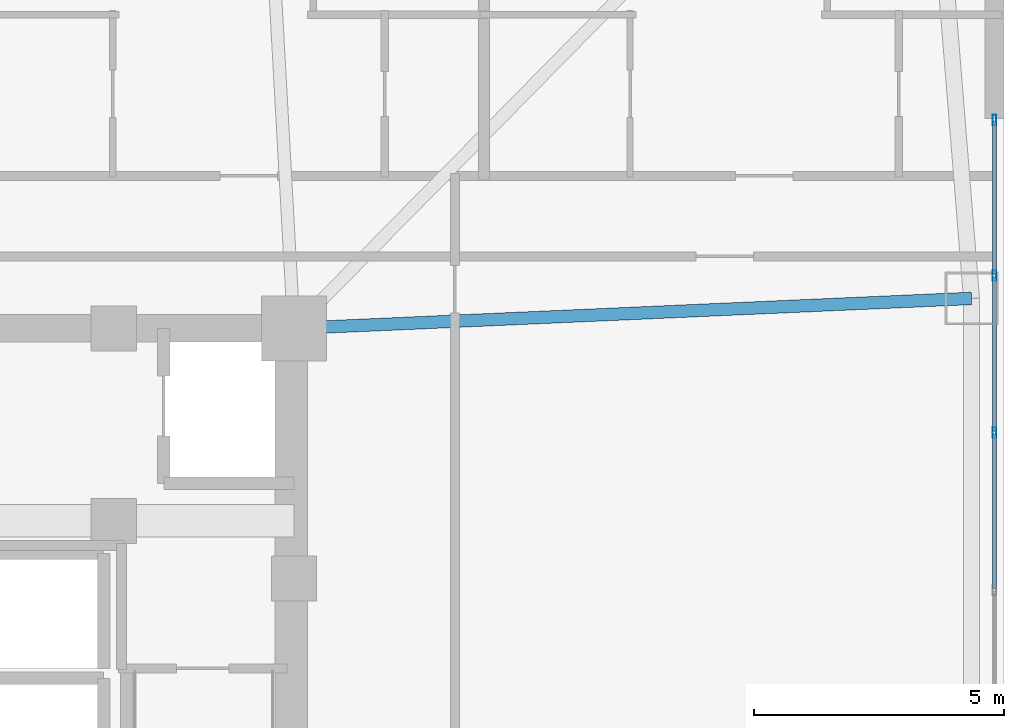
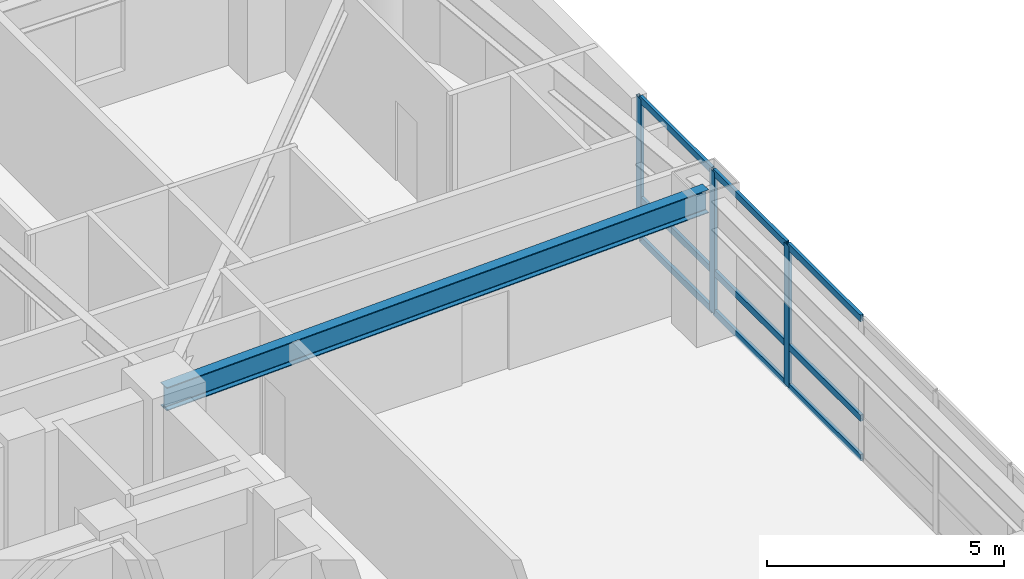
# One storey, part 5 of 16: 12 members, 1 beam, 1 element without a shape of its own.
"""IFC4 building model written with IfcOpenShell, lengths in metres."""

from ifc_helpers import new_model, si_unit, direction, frame, origin, origin_2d, place, context, subcontext, project, spatial, hollow_rectangle, i_section, extrude, material, layer, layer_set, material_profile, profile_set, type_object, element, aggregate, save


model = new_model("IFC4")

# Units and contexts
model_context = context("Model", 3, precision=1e-05, world=origin(), true_north=direction((0.0, 1.0)))
body_context = subcontext(model_context, "Body", "Model", "MODEL_VIEW")
ifc_project = project(units=[si_unit("LENGTHUNIT", "METRE"), si_unit("AREAUNIT", "SQUARE_METRE"), si_unit("VOLUMEUNIT", "CUBIC_METRE"), si_unit("PLANEANGLEUNIT", "RADIAN"), si_unit("MASSUNIT", "GRAM", prefix="KILO")], contexts=[model_context])

# Site, building, storey
site_placement = place(None, origin())
site = spatial("IfcSite", under=ifc_project, at=site_placement, CompositionType="ELEMENT")
building_placement = place(site_placement, origin())
building = spatial("IfcBuilding", under=site, at=building_placement, Name="Voryun Gate Residences", CompositionType="ELEMENT")
storey_placement = place(building_placement, frame((0.0, 0.0, 93.60009765625)))
storey = spatial("IfcBuildingStorey", under=building, at=storey_placement, Name="L22", CompositionType="ELEMENT", Elevation=93.60009765625)

# Beam
ifc_material_1 = material(Name="Steel SM355", Category="steel")
ifc_material_profile_1 = material_profile(ifc_material_1, i_section(OverallWidth=0.25, OverallDepth=0.60009765625, WebThickness=0.011962890625, FlangeThickness=0.02197265625, FilletRadius=0.01806640625, at=origin_2d()), Name="H-600x250x12x22")
ifc_profile_set_1 = profile_set([ifc_material_profile_1], Name="Steel SM355")
beam_type = type_object("IfcBeamType", Name="BM_GIRD_600", PredefinedType="USERDEFINED", material=ifc_profile_set_1)
beam_placement = place(storey_placement, frame((19.199951171875, 7.39990234375, 3.349853515625), z_axis=(0.999027104014, 0.044100401882, 0.0), x_axis=(-0.044100401882, 0.999027104014, 0.0)))
element("IfcBeam", 1, at=beam_placement, inside=storey, type_object=beam_type, Name="BM-L22-RAD-E2", ObjectType="GIRDER", PredefinedType="USERDEFINED", context=body_context, shape_type="SweptSolid", body=[
    extrude(i_section(OverallWidth=0.25, OverallDepth=0.60009765625, WebThickness=0.011962890625, FlangeThickness=0.02197265625, FilletRadius=0.01806640625, at=origin_2d()), origin(), (0.0, 0.0, 1.0), 13.563232421875),
])

# Curtain wall, members
ifc_material_2 = material(Name="Anodised aluminium", Category="aluminium")
ifc_layer = layer(ifc_material_2, 0.2099609375, Name="CW_SYS_SKYGARDEN_DARK_GLASS")
ifc_layer_set = layer_set([ifc_layer], Name="Anodised aluminium")
curtain_wall_type = type_object("IfcCurtainWallType", Name="CW_SYS_SKYGARDEN_DARK_GLASS", PredefinedType="NOTDEFINED", material=ifc_layer_set)
curtain_wall_placement = place(storey_placement, origin())
curtain_wall = element("IfcCurtainWall", 2, at=curtain_wall_placement, inside=storey, type_object=curtain_wall_type, Name="Curtain wall CW5-L22-SG-16", PredefinedType="NOTDEFINED")
ifc_material_3 = material(Name="Anodised aluminium", Category="aluminium")
ifc_material_profile_2 = material_profile(ifc_material_3, hollow_rectangle(XDim=0.074951171875, YDim=0.2099609375, WallThickness=0.0048828125, at=origin_2d()), Name="ALU-MULL-210x75x5")
ifc_profile_set_2 = profile_set([ifc_material_profile_2], Name="Anodised aluminium")
member_type_1 = type_object("IfcMemberType", Name="CW_MULL_SKY", PredefinedType="MULLION", material=ifc_profile_set_2)
member_1_placement = place(storey_placement, frame((33.2099609375, 11.56591796875, 0.0), z_axis=(0.0, 0.0, 1.0), x_axis=(1.0, 0.0, 0.0)))
member_1 = element("IfcMember", 3, at=member_1_placement, type_object=member_type_1, Name="CW5 mullion 1", PredefinedType="MULLION", context=body_context, shape_type="SweptSolid", body=[
    extrude(hollow_rectangle(XDim=0.074951171875, YDim=0.2099609375, WallThickness=0.0048828125, at=origin_2d()), origin(), (0.0, 0.0, 1.0), 3.64990234375),
])
member_2_placement = place(storey_placement, frame((33.2099609375, 8.454345703125, 0.0), z_axis=(0.0, 0.0, 1.0), x_axis=(1.0, 0.0, 0.0)))
member_2 = element("IfcMember", 4, at=member_2_placement, type_object=member_type_1, Name="CW5 mullion 2", PredefinedType="MULLION", context=body_context, shape_type="SweptSolid", body=[
    extrude(hollow_rectangle(XDim=0.074951171875, YDim=0.2099609375, WallThickness=0.0048828125, at=origin_2d()), origin(), (0.0, 0.0, 1.0), 3.64990234375),
])
member_3_placement = place(storey_placement, frame((33.2099609375, 5.3125, 0.0), z_axis=(0.0, 0.0, 1.0), x_axis=(1.0, 0.0, 0.0)))
member_3 = element("IfcMember", 5, at=member_3_placement, type_object=member_type_1, Name="CW5 mullion 3", PredefinedType="MULLION", context=body_context, shape_type="SweptSolid", body=[
    extrude(hollow_rectangle(XDim=0.074951171875, YDim=0.2099609375, WallThickness=0.0048828125, at=origin_2d()), origin(), (0.0, 0.0, 1.0), 3.64990234375),
])
ifc_material_4 = material(Name="Anodised aluminium", Category="aluminium")
ifc_material_profile_3 = material_profile(ifc_material_4, hollow_rectangle(XDim=0.074951171875, YDim=0.169921875, WallThickness=0.0048828125, at=origin_2d()), Name="ALU-TRAN-170x75x5")
ifc_profile_set_3 = profile_set([ifc_material_profile_3], Name="Anodised aluminium")
member_type_2 = type_object("IfcMemberType", Name="CW_TRAN_SKY", PredefinedType="USERDEFINED", material=ifc_profile_set_3)
member_4_placement = place(storey_placement, frame((33.2099609375, 11.535888671875, 0.02978515625), z_axis=(0.0, -1.0, 0.0), x_axis=(1.0, 0.0, 0.0)))
member_4 = element("IfcMember", 6, at=member_4_placement, type_object=member_type_2, Name="CW5 transom 1.1", ObjectType="TRANSOM", PredefinedType="USERDEFINED", context=body_context, shape_type="SweptSolid", body=[
    extrude(hollow_rectangle(XDim=0.074951171875, YDim=0.169921875, WallThickness=0.0048828125, at=origin_2d()), origin(), (0.0, 0.0, 1.0), 3.051513671875),
])
member_5_placement = place(storey_placement, frame((33.2099609375, 11.535888671875, 1.0498046875), z_axis=(0.0, -1.0, 0.0), x_axis=(1.0, 0.0, 0.0)))
member_5 = element("IfcMember", 7, at=member_5_placement, type_object=member_type_2, Name="CW5 transom 1.2", ObjectType="TRANSOM", PredefinedType="USERDEFINED", context=body_context, shape_type="SweptSolid", body=[
    extrude(hollow_rectangle(XDim=0.074951171875, YDim=0.169921875, WallThickness=0.0048828125, at=origin_2d()), origin(), (0.0, 0.0, 1.0), 3.051513671875),
])
member_6_placement = place(storey_placement, frame((33.2099609375, 11.535888671875, 3.619873046875), z_axis=(0.0, -1.0, 0.0), x_axis=(1.0, 0.0, 0.0)))
member_6 = element("IfcMember", 8, at=member_6_placement, type_object=member_type_2, Name="CW5 transom 1.3", ObjectType="TRANSOM", PredefinedType="USERDEFINED", context=body_context, shape_type="SweptSolid", body=[
    extrude(hollow_rectangle(XDim=0.074951171875, YDim=0.169921875, WallThickness=0.0048828125, at=origin_2d()), origin(), (0.0, 0.0, 1.0), 3.051513671875),
])
member_7_placement = place(storey_placement, frame((33.2099609375, 8.42431640625, 0.02978515625), z_axis=(0.0, -1.0, 0.0), x_axis=(1.0, 0.0, 0.0)))
member_7 = element("IfcMember", 9, at=member_7_placement, type_object=member_type_2, Name="CW5 transom 2.1", ObjectType="TRANSOM", PredefinedType="USERDEFINED", context=body_context, shape_type="SweptSolid", body=[
    extrude(hollow_rectangle(XDim=0.074951171875, YDim=0.169921875, WallThickness=0.0048828125, at=origin_2d()), origin(), (0.0, 0.0, 1.0), 3.081787109375),
])
member_8_placement = place(storey_placement, frame((33.2099609375, 8.42431640625, 1.0498046875), z_axis=(0.0, -1.0, 0.0), x_axis=(1.0, 0.0, 0.0)))
member_8 = element("IfcMember", 10, at=member_8_placement, type_object=member_type_2, Name="CW5 transom 2.2", ObjectType="TRANSOM", PredefinedType="USERDEFINED", context=body_context, shape_type="SweptSolid", body=[
    extrude(hollow_rectangle(XDim=0.074951171875, YDim=0.169921875, WallThickness=0.0048828125, at=origin_2d()), origin(), (0.0, 0.0, 1.0), 3.081787109375),
])
member_9_placement = place(storey_placement, frame((33.2099609375, 8.42431640625, 3.619873046875), z_axis=(0.0, -1.0, 0.0), x_axis=(1.0, 0.0, 0.0)))
member_9 = element("IfcMember", 11, at=member_9_placement, type_object=member_type_2, Name="CW5 transom 2.3", ObjectType="TRANSOM", PredefinedType="USERDEFINED", context=body_context, shape_type="SweptSolid", body=[
    extrude(hollow_rectangle(XDim=0.074951171875, YDim=0.169921875, WallThickness=0.0048828125, at=origin_2d()), origin(), (0.0, 0.0, 1.0), 3.081787109375),
])
member_10_placement = place(storey_placement, frame((33.2099609375, 5.282470703125, 0.02978515625), z_axis=(0.0, -1.0, 0.0), x_axis=(1.0, 0.0, 0.0)))
member_10 = element("IfcMember", 12, at=member_10_placement, type_object=member_type_2, Name="CW5 transom 3.1", ObjectType="TRANSOM", PredefinedType="USERDEFINED", context=body_context, shape_type="SweptSolid", body=[
    extrude(hollow_rectangle(XDim=0.074951171875, YDim=0.169921875, WallThickness=0.0048828125, at=origin_2d()), origin(), (0.0, 0.0, 1.0), 3.08154296875),
])
member_11_placement = place(storey_placement, frame((33.2099609375, 5.282470703125, 1.0498046875), z_axis=(0.0, -1.0, 0.0), x_axis=(1.0, 0.0, 0.0)))
member_11 = element("IfcMember", 13, at=member_11_placement, type_object=member_type_2, Name="CW5 transom 3.2", ObjectType="TRANSOM", PredefinedType="USERDEFINED", context=body_context, shape_type="SweptSolid", body=[
    extrude(hollow_rectangle(XDim=0.074951171875, YDim=0.169921875, WallThickness=0.0048828125, at=origin_2d()), origin(), (0.0, 0.0, 1.0), 3.08154296875),
])
member_12_placement = place(storey_placement, frame((33.2099609375, 5.282470703125, 3.619873046875), z_axis=(0.0, -1.0, 0.0), x_axis=(1.0, 0.0, 0.0)))
member_12 = element("IfcMember", 14, at=member_12_placement, type_object=member_type_2, Name="CW5 transom 3.3", ObjectType="TRANSOM", PredefinedType="USERDEFINED", context=body_context, shape_type="SweptSolid", body=[
    extrude(hollow_rectangle(XDim=0.074951171875, YDim=0.169921875, WallThickness=0.0048828125, at=origin_2d()), origin(), (0.0, 0.0, 1.0), 3.08154296875),
])
aggregate(curtain_wall, [member_1, member_2, member_3, member_4, member_5, member_6, member_7, member_8, member_9, member_10, member_11, member_12])

save(model, "model.ifc")
